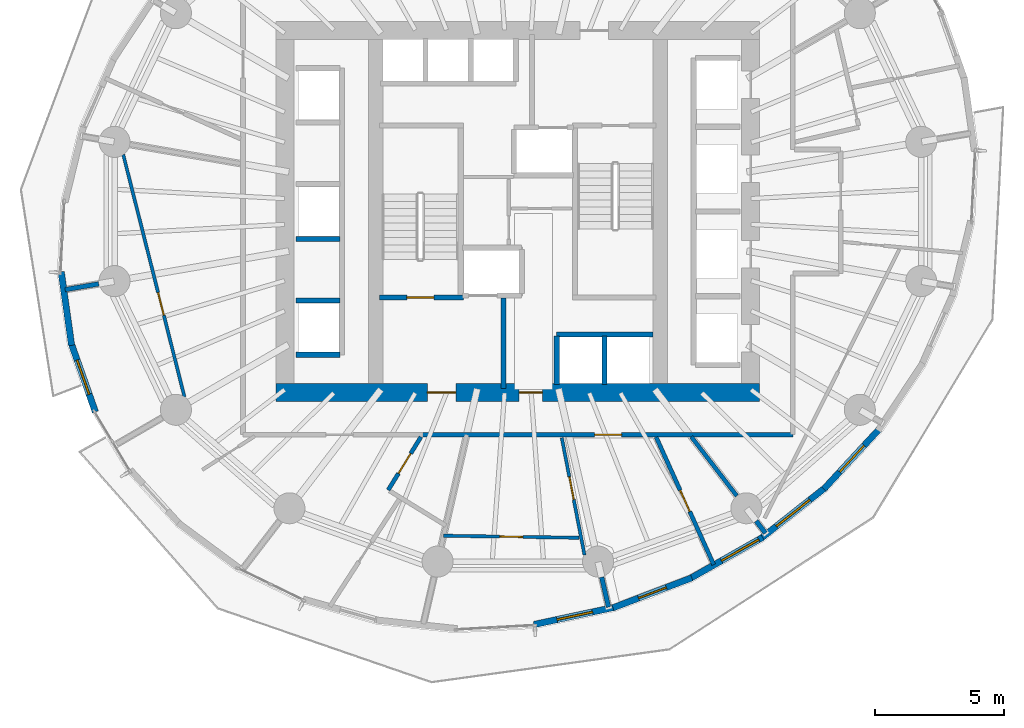
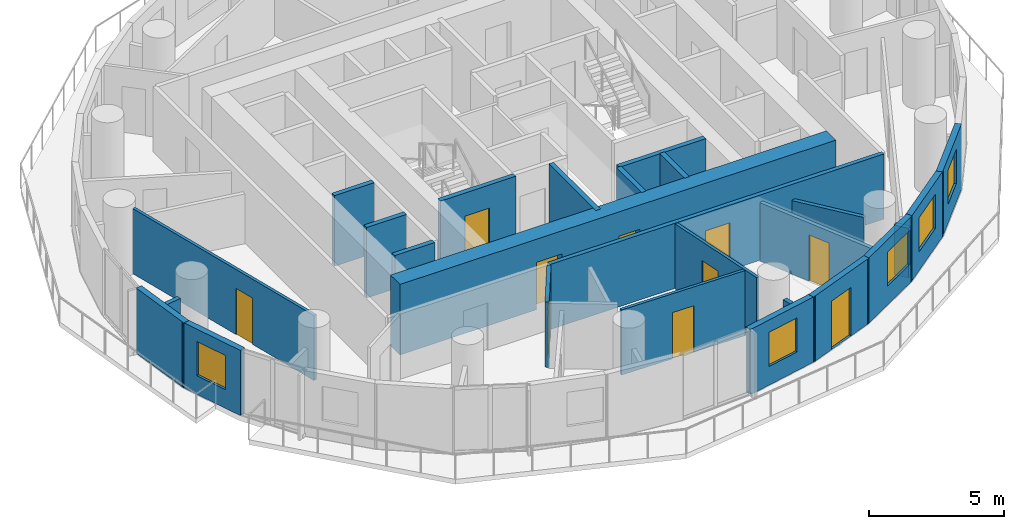
# One storey, part 7 of 15: 26 walls, 10 doors, 5 windows, 15 openings.
"""IFC4 building model written with IfcOpenShell, lengths in metres."""

import ifcopenshell
import ifcopenshell.guid

model = None  # the IFC model being written
_history = None  # IfcOwnerHistory: only IFC2X3 demands one
_inside = {}  # id of a spatial element -> (the spatial element, [elements in it])
_under = {}  # id of a project, library or spatial element -> (it, [spatial elements below it])
_declared = {}  # id of a project -> (the project, [libraries it declares])
_typed = {}  # id of a type object -> (the type object, [elements of that type])
_made_of = {}  # id of a material, layer set ... -> (it, [elements and type objects made of it])


def new_model(schema):
    """Start an empty IFC model of exactly this schema.

    Asked for "IFC4X3", IfcOpenShell would pick the latest addendum, in which some entities
    have other attributes; the version numbers below select the first issue.
    IFC2X3 requires an IfcOwnerHistory on every rooted entity: one is made here for all.
    """
    global model, _history
    if schema == "IFC4X3":
        model = ifcopenshell.file(schema_version=(4, 3, 0, 0))
    else:
        model = ifcopenshell.file(schema=schema)
    _inside.clear()
    _under.clear()
    _declared.clear()
    _typed.clear()
    _made_of.clear()
    _history = None
    if model.schema == "IFC2X3":
        org = make("IfcOrganization", Name="unknown")
        user = make(
            "IfcPersonAndOrganization",
            ThePerson=make("IfcPerson", FamilyName="unknown"),
            TheOrganization=org,
        )
        app = make(
            "IfcApplication",
            ApplicationDeveloper=org,
            Version="unknown",
            ApplicationFullName="unknown",
            ApplicationIdentifier="unknown",
        )
        _history = make(
            "IfcOwnerHistory",
            OwningUser=user,
            OwningApplication=app,
            ChangeAction="ADDED",
            CreationDate=0,
        )
    return model


def make(cls, **values):
    """One entity of the class cls with the attributes given. An attribute that is None is left unset."""
    return model.create_entity(
        cls, **{name: value for name, value in values.items() if value is not None}
    )


def rooted(cls, **values):
    """An entity with a GlobalId (a new one), such as an element, a storey or a relation."""
    return make(cls, GlobalId=ifcopenshell.guid.new(), OwnerHistory=_history, **values)


def si_unit(unit_type, name, prefix=None):
    """IfcSIUnit, for example si_unit("LENGTHUNIT", "METRE", prefix="MILLI")."""
    return make("IfcSIUnit", UnitType=unit_type, Prefix=prefix, Name=name)


def assignment(units):
    """IfcUnitAssignment: the units of a project."""
    return None if units is None else make("IfcUnitAssignment", Units=units)


def point(xyz):
    """IfcCartesianPoint."""
    return None if xyz is None else make("IfcCartesianPoint", Coordinates=xyz)


def direction(xyz):
    """IfcDirection."""
    return None if xyz is None else make("IfcDirection", DirectionRatios=xyz)


def frame(location, z_axis=None, x_axis=None):
    """IfcAxis2Placement3D, a coordinate frame: its origin and axes. An axis left out is left unset."""
    return make(
        "IfcAxis2Placement3D",
        Location=point(location),
        Axis=direction(z_axis),
        RefDirection=direction(x_axis),
    )


def frame_2d(location, x_axis=None):
    """IfcAxis2Placement2D, a coordinate frame in the plane: its origin and x axis."""
    return make(
        "IfcAxis2Placement2D", Location=point(location), RefDirection=direction(x_axis)
    )


def origin():
    """The frame at (0, 0, 0) with its axes left unset."""
    return frame((0.0, 0.0, 0.0))


def place(relative_to, where):
    """IfcLocalPlacement: puts the frame where relative to a parent placement (None: the world)."""
    return make(
        "IfcLocalPlacement", PlacementRelTo=relative_to, RelativePlacement=where
    )


def context(
    kind, dimensions, precision=None, world=None, true_north=None, identifier=None
):
    """IfcGeometricRepresentationContext, for example the 3D "Model" context."""
    return make(
        "IfcGeometricRepresentationContext",
        ContextIdentifier=identifier,
        ContextType=kind,
        CoordinateSpaceDimension=dimensions,
        Precision=precision,
        WorldCoordinateSystem=world,
        TrueNorth=true_north,
    )


def subcontext(parent, identifier, kind, view, scale=None):
    """IfcGeometricRepresentationSubContext, for example "Body" below "Model"."""
    return make(
        "IfcGeometricRepresentationSubContext",
        ContextIdentifier=identifier,
        ContextType=kind,
        ParentContext=parent,
        TargetScale=scale,
        TargetView=view,
    )


def project(units=None, contexts=None):
    """IfcProject with its units and contexts."""
    return rooted(
        "IfcProject",
        Name="project",
        RepresentationContexts=contexts,
        UnitsInContext=assignment(units),
    )


def spatial(cls, under=None, at=None, **own):
    """A site, building, storey or space (cls), placed at a placement, below another one or the project."""
    s = rooted(cls, ObjectPlacement=at, **own)
    if under is not None:
        _under.setdefault(under.id(), (under, []))[1].append(s)
    return s


def profile(cls, at=None, kind="AREA", **sizes):
    """A parametric profile (cls). Its sizes go by their IFC names, for example OverallWidth=200.0."""
    return make(cls, ProfileType=kind, Position=at, **sizes)


def rectangle(**sizes):
    """IfcRectangleProfileDef."""
    return profile("IfcRectangleProfileDef", **sizes)


def extrude(swept, where, along, depth):
    """IfcExtrudedAreaSolid: the profile swept, set in the frame where, extruded along a direction by depth."""
    return make(
        "IfcExtrudedAreaSolid",
        SweptArea=swept,
        Position=where,
        ExtrudedDirection=direction(along),
        Depth=depth,
    )


def shape(context_of_items, identifier, shape_type, items):
    """IfcShapeRepresentation: the items that make up one representation, for example the "Body"."""
    return make(
        "IfcShapeRepresentation",
        ContextOfItems=context_of_items,
        RepresentationIdentifier=identifier,
        RepresentationType=shape_type,
        Items=items,
    )


def material(Name=None, Category=None):
    """IfcMaterial."""
    return make("IfcMaterial", Name=Name, Category=Category)


def layer(
    of_material, thickness, ventilated=None, Name=None, Category=None, Priority=None
):
    """IfcMaterialLayer: one layer of a wall or slab, of a material (None: an air gap)."""
    return make(
        "IfcMaterialLayer",
        Material=of_material,
        LayerThickness=thickness,
        IsVentilated=ventilated,
        Name=Name,
        Category=Category,
        Priority=Priority,
    )


def layer_set(layers, Name=None):
    """IfcMaterialLayerSet."""
    return make("IfcMaterialLayerSet", MaterialLayers=layers, LayerSetName=Name)


def made_of(thing, what):
    """Note that an element or type object is made of a material, layer set ...; save() writes the relation."""
    if what is not None:
        _made_of.setdefault(what.id(), (what, []))[1].append(thing)
    return thing


def type_object(cls, material=None, **own):
    """A type object (cls), such as IfcWallType, which elements share."""
    return made_of(rooted(cls, **own), material)


def element(
    cls,
    number,
    at=None,
    inside=None,
    cuts=None,
    type_object=None,
    material=None,
    context=None,
    identifier="Body",
    shape_type=None,
    held_by="IfcProductDefinitionShape",
    body=None,
    shapes=None,
    **own,
):
    """One element of the class cls, such as IfcWall. Its Tag is "e" and its number.

    at: its placement. inside: the storey or other place that contains it. cuts: it is an
    opening in that element (IfcRelVoidsElement). A single representation is given by context,
    identifier, shape_type and body (its items); several are given by shapes. held_by: the class
    of the entity that holds the representations. save() writes the other relations.
    """
    e = rooted(cls, Tag="e%d" % number, ObjectPlacement=at, **own)
    if body is not None:
        shapes = [shape(context, identifier, shape_type, body)]
    if shapes is not None:
        e.Representation = make(held_by, Representations=shapes)
    if inside is not None:
        _inside.setdefault(inside.id(), (inside, []))[1].append(e)
    if cuts is not None:
        rooted(
            "IfcRelVoidsElement", RelatingBuildingElement=cuts, RelatedOpeningElement=e
        )
    if type_object is not None:
        _typed.setdefault(type_object.id(), (type_object, []))[1].append(e)
    return made_of(e, material)


def fill(opening, filler):
    """IfcRelFillsElement: the door or window that sits in an opening."""
    return rooted(
        "IfcRelFillsElement",
        RelatingOpeningElement=opening,
        RelatedBuildingElement=filler,
    )


def aggregate(whole, parts):
    """IfcRelAggregates: a whole, such as a stair, and the parts it consists of."""
    return rooted("IfcRelAggregates", RelatingObject=whole, RelatedObjects=parts)


def save(model, path):
    """Write the relations noted so far, then the file.

    IfcRelAggregates (storeys below a building ...), IfcRelContainedInSpatialStructure (elements
    in a storey), IfcRelDefinesByType, IfcRelAssociatesMaterial and IfcRelDeclares: one each for
    every whole, place, type object, material and project.
    """
    for whole, parts in _under.values():
        aggregate(whole, parts)
    for where, things in _inside.values():
        rooted(
            "IfcRelContainedInSpatialStructure",
            RelatedElements=things,
            RelatingStructure=where,
        )
    for kind, things in _typed.values():
        rooted("IfcRelDefinesByType", RelatedObjects=things, RelatingType=kind)
    for what, things in _made_of.values():
        rooted("IfcRelAssociatesMaterial", RelatedObjects=things, RelatingMaterial=what)
    for by, libraries in _declared.values():
        rooted("IfcRelDeclares", RelatingContext=by, RelatedDefinitions=libraries)
    model.write(path)


model = new_model("IFC4")

# Units and contexts
model_context = context("Model", 3, precision=1e-05, world=origin(), true_north=direction((0.0, 1.0)))
body_context = subcontext(model_context, "Body", "Model", "MODEL_VIEW")
ifc_project = project(units=[si_unit("LENGTHUNIT", "METRE"), si_unit("AREAUNIT", "SQUARE_METRE"), si_unit("VOLUMEUNIT", "CUBIC_METRE"), si_unit("PLANEANGLEUNIT", "RADIAN"), si_unit("MASSUNIT", "GRAM", prefix="KILO")], contexts=[model_context])

# Site, building, storey
site_placement = place(None, origin())
site = spatial("IfcSite", under=ifc_project, at=site_placement, CompositionType="ELEMENT")
building_placement = place(site_placement, origin())
building = spatial("IfcBuilding", under=site, at=building_placement, Name="Veldorim Arch Residences", CompositionType="ELEMENT")
storey_placement = place(building_placement, frame((0.0, 0.0, 106.080078125)))
storey = spatial("IfcBuildingStorey", under=building, at=storey_placement, Name="L31", CompositionType="ELEMENT", Elevation=106.080078125)

# Wall, opening, door
ifc_material_1 = material(Name="Acoustic Gypsum Board", Category="gypsum")
ifc_layer_1 = layer(ifc_material_1, 0.125, Name="Acoustic Stud Room Partition Wall 125")
ifc_layer_set_1 = layer_set([ifc_layer_1], Name="Acoustic Gypsum Board")
wall_type_1 = type_object("IfcWallType", Name="Acoustic Stud Room Partition Wall 125", PredefinedType="PARTITIONING", material=ifc_layer_set_1)
wall_1_placement = place(storey_placement, frame((34.576904296875, 10.718994140625, 0.0), z_axis=(0.0, 0.0, 1.0), x_axis=(-0.19043944415, 0.981698944744, 0.0)))
wall_1 = element("IfcWall", 1, at=wall_1_placement, inside=storey, type_object=wall_type_1, Name="L31 interior wall WL-RES-L31-012", PredefinedType="PARTITIONING", context=body_context, shape_type="SweptSolid", body=[
    extrude(rectangle(XDim=4.61767578125, YDim=0.125, at=frame_2d((2.308837890625, 0.0))), origin(), (0.0, 0.0, 1.0), 2.954833984375),
])
opening_1_placement = place(wall_1_placement, frame((2.18701171875, 0.0, 0.0)))
opening_1 = element("IfcOpeningElement", 2, at=opening_1_placement, cuts=wall_1, Name="Opening DR-INT", PredefinedType="OPENING", context=body_context, shape_type="SweptSolid", body=[
    extrude(rectangle(XDim=0.89990234375, YDim=2.10009765625, at=frame_2d((0.449951171875, 1.050048828125))), frame((0.0, 0.072509765625, 0.0), z_axis=(0.0, -1.0, 0.0), x_axis=(1.0, 0.0, 0.0)), (0.0, 0.0, 1.0), 0.14501953125),
])
ifc_material_2 = material(Name="Engineered Timber", Category="wood")
door_type_1 = type_object("IfcDoorType", Name="Apartment Internal Room Timber Door 900x2100", OperationType="SINGLE_SWING_LEFT", PredefinedType="DOOR", material=ifc_material_2)
door_1_placement = place(opening_1_placement, origin())
door_1 = element("IfcDoor", 3, at=door_1_placement, inside=storey, type_object=door_type_1, Name="L31 interior door DR-RES-L31-003", OperationType="SINGLE_SWING_LEFT", OverallHeight=2.10009765625, OverallWidth=0.89990234375, PredefinedType="DOOR", context=body_context, shape_type="SweptSolid", body=[
    extrude(rectangle(XDim=0.89990234375, YDim=2.10009765625, at=frame_2d((0.449951171875, 1.050048828125))), frame((0.0, 0.02490234375, 0.0), z_axis=(0.0, -1.0, 0.0), x_axis=(1.0, 0.0, 0.0)), (0.0, 0.0, 1.0), 0.050048828125),
])
fill(opening_1, door_1)

wall_2_placement = place(storey_placement, frame((34.3681640625, 11.38427734375, 0.0), z_axis=(0.0, 0.0, 1.0), x_axis=(-0.999882579861, 0.015324049414, 0.0)))
wall_2 = element("IfcWall", 4, at=wall_2_placement, inside=storey, type_object=wall_type_1, Name="L31 interior wall WL-RES-L31-014", PredefinedType="PARTITIONING", context=body_context, shape_type="SweptSolid", body=[
    extrude(rectangle(XDim=5.24169921875, YDim=0.125, at=frame_2d((2.620849609375, 0.0))), origin(), (0.0, 0.0, 1.0), 2.954833984375),
])
opening_2_placement = place(wall_2_placement, frame((2.1708984375, 0.0, 0.0)))
opening_2 = element("IfcOpeningElement", 5, at=opening_2_placement, cuts=wall_2, Name="Opening DR-INT", PredefinedType="OPENING", context=body_context, shape_type="SweptSolid", body=[
    extrude(rectangle(XDim=0.89990234375, YDim=2.10009765625, at=frame_2d((0.449951171875, 1.050048828125))), frame((0.0, 0.072509765625, 0.0), z_axis=(0.0, -1.0, 0.0), x_axis=(1.0, 0.0, 0.0)), (0.0, 0.0, 1.0), 0.14501953125),
])
door_2_placement = place(opening_2_placement, origin())
door_2 = element("IfcDoor", 6, at=door_2_placement, inside=storey, type_object=door_type_1, Name="L31 interior door DR-RES-L31-004", OperationType="SINGLE_SWING_RIGHT", OverallHeight=2.10009765625, OverallWidth=0.89990234375, PredefinedType="DOOR", context=body_context, shape_type="SweptSolid", body=[
    extrude(rectangle(XDim=0.89990234375, YDim=2.10009765625, at=frame_2d((0.449951171875, 1.050048828125))), frame((0.0, 0.02490234375, 0.0), z_axis=(0.0, -1.0, 0.0), x_axis=(1.0, 0.0, 0.0)), (0.0, 0.0, 1.0), 0.050048828125),
])
fill(opening_2, door_2)

wall_3_placement = place(storey_placement, frame((19.111328125, 16.82568359375, 0.0), z_axis=(0.0, 0.0, 1.0), x_axis=(-0.244982180272, 0.969527581531, 0.0)))
wall_3 = element("IfcWall", 7, at=wall_3_placement, inside=storey, type_object=wall_type_1, Name="L31 interior wall WL-RES-L31-036", PredefinedType="PARTITIONING", context=body_context, shape_type="SweptSolid", body=[
    extrude(rectangle(XDim=9.670654296875, YDim=0.125, at=frame_2d((4.83544921875, 0.0))), origin(), (0.0, 0.0, 1.0), 2.954833984375),
])
opening_3_placement = place(wall_3_placement, frame((3.265380859375, 0.0, 0.0)))
opening_3 = element("IfcOpeningElement", 8, at=opening_3_placement, cuts=wall_3, Name="Opening DR-INT", PredefinedType="OPENING", context=body_context, shape_type="SweptSolid", body=[
    extrude(rectangle(XDim=0.89990234375, YDim=2.10009765625, at=frame_2d((0.449951171875, 1.050048828125))), frame((0.0, 0.072509765625, 0.0), z_axis=(0.0, -1.0, 0.0), x_axis=(1.0, 0.0, 0.0)), (0.0, 0.0, 1.0), 0.14501953125),
])
door_3_placement = place(opening_3_placement, origin())
door_3 = element("IfcDoor", 9, at=door_3_placement, inside=storey, type_object=door_type_1, Name="L31 interior door DR-RES-L31-022", OperationType="SINGLE_SWING_RIGHT", OverallHeight=2.10009765625, OverallWidth=0.89990234375, PredefinedType="DOOR", context=body_context, shape_type="SweptSolid", body=[
    extrude(rectangle(XDim=0.89990234375, YDim=2.10009765625, at=frame_2d((0.449951171875, 1.050048828125))), frame((0.0, 0.02490234375, 0.0), z_axis=(0.0, -1.0, 0.0), x_axis=(1.0, 0.0, 0.0)), (0.0, 0.0, 1.0), 0.050048828125),
])
fill(opening_3, door_3)

# Walls
ifc_material_3 = material(Name="Lightweight Masonry Block & Gypsum", Category="masonry")
ifc_layer_2 = layer(ifc_material_3, 0.179931640625, Name="Compartment & Corridor Fire-Rated Party Wall 180")
ifc_layer_set_2 = layer_set([ifc_layer_2], Name="Lightweight Masonry Block & Gypsum")
wall_type_2 = type_object("IfcWallType", Name="Compartment & Corridor Fire-Rated Party Wall 180", PredefinedType="PARTITIONING", material=ifc_layer_set_2)
wall_4_placement = place(storey_placement, frame((15.79443359375, 21.202392578125, 0.0), z_axis=(0.0, 0.0, 1.0), x_axis=(-0.98541625201, -0.170161130326, 0.0)))
element("IfcWall", 10, at=wall_4_placement, inside=storey, type_object=wall_type_2, Name="L31 interior wall WL-PIER-L31-09", PredefinedType="PARTITIONING", context=body_context, shape_type="SweptSolid", body=[
    extrude(rectangle(XDim=1.318603515625, YDim=0.179931640625, at=frame_2d((0.6591796875, 0.0))), origin(), (0.0, 0.0, 1.0), 2.260498046875),
])
wall_5_placement = place(storey_placement, frame((35.240478515625, 9.86083984375, 0.0), z_axis=(0.0, 0.0, 1.0), x_axis=(0.223327310752, -0.974743511018, 0.0)))
element("IfcWall", 11, at=wall_5_placement, inside=storey, type_object=wall_type_2, Name="L31 interior wall WL-PIER-L31-13", PredefinedType="PARTITIONING", context=body_context, shape_type="SweptSolid", body=[
    extrude(rectangle(XDim=1.187255859375, YDim=0.179931640625, at=frame_2d((0.59375, 0.0))), origin(), (0.0, 0.0, 1.0), 2.260498046875),
])
wall_6_placement = place(storey_placement, frame((41.2119140625, 12.034423828125, 0.0), z_axis=(0.0, 0.0, 1.0), x_axis=(0.609790512648, -0.792562635181, 0.0)))
element("IfcWall", 12, at=wall_6_placement, inside=storey, type_object=wall_type_2, Name="L31 interior wall WL-PIER-L31-14", PredefinedType="PARTITIONING", context=body_context, shape_type="SweptSolid", body=[
    extrude(rectangle(XDim=0.591796875, YDim=0.179931640625, at=frame_2d((0.2958984375, 0.0))), origin(), (0.0, 0.0, 1.0), 2.260498046875),
])

# Wall, opening, door
wall_7_placement = place(storey_placement, frame((42.6298828125, 15.3701171875, 0.0), z_axis=(0.0, 0.0, 1.0), x_axis=(-1.0, 0.0, 0.0)))
wall_7 = element("IfcWall", 13, at=wall_7_placement, inside=storey, type_object=wall_type_2, Name="L31 interior wall WL-RES-L31-001", PredefinedType="PARTITIONING", context=body_context, shape_type="SweptSolid", body=[
    extrude(rectangle(XDim=14.345703125, YDim=0.179931640625, at=frame_2d((7.1728515625, 0.0))), origin(), (0.0, 0.0, 1.0), 2.954833984375),
])
opening_4_placement = place(wall_7_placement, frame((6.614990234375, 0.0, 0.0)))
opening_4 = element("IfcOpeningElement", 14, at=opening_4_placement, cuts=wall_7, Name="Opening DR-FLT", PredefinedType="OPENING", context=body_context, shape_type="SweptSolid", body=[
    extrude(rectangle(XDim=1.050048828125, YDim=2.14990234375, at=frame_2d((0.52490234375, 1.074951171875))), frame((0.0, 0.099853515625, 0.0), z_axis=(0.0, -1.0, 0.0), x_axis=(1.0, 0.0, 0.0)), (0.0, 0.0, 1.0), 0.199951171875),
])
ifc_material_4 = material(Name="Fire-Rated Timber", Category="wood")
door_type_2 = type_object("IfcDoorType", Name="Apartment Entrance Solid-Core Fire Door 1050x2150", OperationType="SINGLE_SWING_LEFT", PredefinedType="DOOR", material=ifc_material_4)
door_4_placement = place(opening_4_placement, origin())
door_4 = element("IfcDoor", 15, at=door_4_placement, inside=storey, type_object=door_type_2, Name="L31 interior door DR-RES-L31-001", OperationType="SINGLE_SWING_LEFT", OverallHeight=2.14990234375, OverallWidth=1.050048828125, PredefinedType="DOOR", context=body_context, shape_type="SweptSolid", body=[
    extrude(rectangle(XDim=1.050048828125, YDim=2.14990234375, at=frame_2d((0.52490234375, 1.074951171875))), frame((0.0, 0.02490234375, 0.0), z_axis=(0.0, -1.0, 0.0), x_axis=(1.0, 0.0, 0.0)), (0.0, 0.0, 1.0), 0.050048828125),
])
fill(opening_4, door_4)

ifc_material_5 = material(Name="Concrete C50/60", Category="concrete")
ifc_layer_3 = layer(ifc_material_5, 0.199951171875, Name="Core Stair & Lift Shaft Enclosure Wall 200")
ifc_layer_set_3 = layer_set([ifc_layer_3], Name="Concrete C50/60")
wall_type_3 = type_object("IfcWallType", Name="Core Stair & Lift Shaft Enclosure Wall 200", PredefinedType="SHEAR", material=ifc_layer_set_3)
wall_8_placement = place(storey_placement, frame((26.64990234375, 20.669921875, 0.0), z_axis=(0.0, 0.0, 1.0), x_axis=(1.0, 0.0, 0.0)))
wall_8 = element("IfcWall", 16, at=wall_8_placement, inside=storey, type_object=wall_type_3, Name="L31 shaft wall WL-SHF-L31-ST1-S", PredefinedType="SHEAR", context=body_context, shape_type="SweptSolid", body=[
    extrude(rectangle(XDim=3.239990234375, YDim=0.199951171875, at=frame_2d((1.6201171875, 0.0))), origin(), (0.0, 0.0, 1.0), 3.199951171875),
])
opening_5_placement = place(wall_8_placement, frame((1.054931640625, 0.0, 0.0)))
opening_5 = element("IfcOpeningElement", 17, at=opening_5_placement, cuts=wall_8, Name="Opening DR-ST", PredefinedType="OPENING", context=body_context, shape_type="SweptSolid", body=[
    extrude(rectangle(XDim=1.050048828125, YDim=2.14990234375, at=frame_2d((0.52490234375, 1.074951171875))), frame((0.0, 0.10986328125, 0.0), z_axis=(0.0, -1.0, 0.0), x_axis=(1.0, 0.0, 0.0)), (0.0, 0.0, 1.0), 0.219970703125),
])
ifc_material_6 = material(Name="Fire-Rated Steel", Category="steel")
door_type_3 = type_object("IfcDoorType", Name="Exit Staircase Self-Closing Fire Door 1050x2150", OperationType="SINGLE_SWING_LEFT", PredefinedType="DOOR", material=ifc_material_6)
door_5_placement = place(opening_5_placement, origin())
door_5 = element("IfcDoor", 18, at=door_5_placement, inside=storey, type_object=door_type_3, Name="L31 interior door DR-L31-ST1", OperationType="SINGLE_SWING_LEFT", OverallHeight=2.14990234375, OverallWidth=1.050048828125, PredefinedType="DOOR", context=body_context, shape_type="SweptSolid", body=[
    extrude(rectangle(XDim=1.050048828125, YDim=2.14990234375, at=frame_2d((0.52490234375, 1.074951171875))), frame((0.0, 0.02490234375, 0.0), z_axis=(0.0, -1.0, 0.0), x_axis=(1.0, 0.0, 0.0)), (0.0, 0.0, 1.0), 0.050048828125),
])
fill(opening_5, door_5)

# Walls
wall_9_placement = place(storey_placement, frame((31.449951171875, 17.14990234375, 0.0), z_axis=(0.0, 0.0, 1.0), x_axis=(0.0, 1.0, 0.0)))
element("IfcWall", 19, at=wall_9_placement, inside=storey, type_object=wall_type_3, Name="L31 shaft wall WL-FFL1-L31-E", PredefinedType="SHEAR", context=body_context, shape_type="SweptSolid", body=[
    extrude(rectangle(XDim=3.5, YDim=0.199951171875, at=frame_2d((1.75, 0.0))), origin(), (0.0, 0.0, 1.0), 3.199951171875),
])
for number, where, z_axis, x_axis, name in (
    (20, (23.419921875, 18.4599609375, 0.0), (0.0, 0.0, 1.0), (1.0, 0.0, 0.0), "L31 shaft wall WL-B2-L31-S"),
    (21, (23.419921875, 20.56005859375, 0.0), (0.0, 0.0, 1.0), (1.0, 0.0, 0.0), "L31 shaft wall WL-B2-L31-D1A"),
    (22, (23.419921875, 22.93994140625, 0.0), (0.0, 0.0, 1.0), (1.0, 0.0, 0.0), "L31 shaft wall WL-B2-L31-D1B"),
):
    element("IfcWall", number, at=place(storey_placement, frame(where, z_axis=z_axis, x_axis=x_axis)), inside=storey, type_object=wall_type_3, Name=name, PredefinedType="SHEAR", context=body_context, shape_type="SweptSolid", body=[
        extrude(rectangle(XDim=1.7099609375, YDim=0.199951171875, at=frame_2d((0.85498046875, 0.0))), origin(), (0.0, 0.0, 1.0), 3.199951171875),
    ])
wall_10_placement = place(storey_placement, frame((33.5, 19.25, 0.0), z_axis=(0.0, 0.0, 1.0), x_axis=(1.0, 0.0, 0.0)))
element("IfcWall", 23, at=wall_10_placement, inside=storey, type_object=wall_type_3, Name="L31 shaft wall WL-OL-L31-N", PredefinedType="SHEAR", context=body_context, shape_type="SweptSolid", body=[
    extrude(rectangle(XDim=3.719970703125, YDim=0.199951171875, at=frame_2d((1.85986328125, 0.0))), origin(), (0.0, 0.0, 1.0), 3.199951171875),
])
for number, where, z_axis, x_axis, name in (
    (24, (33.5, 17.320068359375, 0.0), (0.0, 0.0, 1.0), (0.0, 1.0, 0.0), "L31 shaft wall WL-OL-L31-W"),
    (25, (35.35009765625, 17.320068359375, 0.0), (0.0, 0.0, 1.0), (0.0, 1.0, 0.0), "L31 shaft wall WL-OL-L31-D1"),
):
    element("IfcWall", number, at=place(storey_placement, frame(where, z_axis=z_axis, x_axis=x_axis)), inside=storey, type_object=wall_type_3, Name=name, PredefinedType="SHEAR", context=body_context, shape_type="SweptSolid", body=[
        extrude(rectangle(XDim=1.85986328125, YDim=0.199951171875, at=frame_2d((0.929931640625, 0.0))), origin(), (0.0, 0.0, 1.0), 3.199951171875),
    ])

# Wall, openings, doors
ifc_material_7 = material(Name="Concrete C60/75", Category="concrete")
ifc_layer_4 = layer(ifc_material_7, 0.699951171875, Name="Mid-Lower Central Core Shear Wall 700")
ifc_layer_set_4 = layer_set([ifc_layer_4], Name="Concrete C60/75")
wall_type_4 = type_object("IfcWallType", Name="Mid-Lower Central Core Shear Wall 700", PredefinedType="SHEAR", material=ifc_layer_set_4)
wall_11_placement = place(storey_placement, frame((22.64990234375, 17.0, 0.0), z_axis=(0.0, 0.0, 1.0), x_axis=(1.0, 0.0, 0.0)))
wall_11 = element("IfcWall", 26, at=wall_11_placement, inside=storey, type_object=wall_type_4, Name="L31 central core south shear wall", PredefinedType="SHEAR", context=body_context, shape_type="SweptSolid", body=[
    extrude(rectangle(XDim=18.7001953125, YDim=0.699951171875, at=frame_2d((9.35009765625, 0.0))), origin(), (0.0, 0.0, 1.0), 3.199951171875),
])
opening_6_placement = place(wall_11_placement, frame((5.85009765625, 0.0, 0.0)))
opening_6 = element("IfcOpeningElement", 27, at=opening_6_placement, cuts=wall_11, Name="Opening DR-FFL", PredefinedType="OPENING", context=body_context, shape_type="SweptSolid", body=[
    extrude(rectangle(XDim=1.10009765625, YDim=2.14990234375, at=frame_2d((0.550048828125, 1.074951171875))), frame((0.0, 0.35986328125, 0.0), z_axis=(0.0, -1.0, 0.0), x_axis=(1.0, 0.0, 0.0)), (0.0, 0.0, 1.0), 0.719970703125),
])
opening_7_placement = place(wall_11_placement, frame((9.39990234375, 0.0, 0.0)))
opening_7 = element("IfcOpeningElement", 28, at=opening_7_placement, cuts=wall_11, Name="Opening DR-SVC", PredefinedType="OPENING", context=body_context, shape_type="SweptSolid", body=[
    extrude(rectangle(XDim=0.89990234375, YDim=2.10009765625, at=frame_2d((0.449951171875, 1.050048828125))), frame((0.0, 0.35986328125, 0.0), z_axis=(0.0, -1.0, 0.0), x_axis=(1.0, 0.0, 0.0)), (0.0, 0.0, 1.0), 0.719970703125),
])
ifc_material_8 = material(Name="Fire-Rated Steel & Vision Glass", Category="steel")
door_type_4 = type_object("IfcDoorType", Name="Firefighting Lobby Smoke-Stop Fire Door 1100x2150", OperationType="SINGLE_SWING_LEFT", PredefinedType="DOOR", material=ifc_material_8)
door_6_placement = place(opening_6_placement, origin())
door_6 = element("IfcDoor", 29, at=door_6_placement, inside=storey, type_object=door_type_4, Name="L31 interior door DR-L31-FFL1", OperationType="SINGLE_SWING_RIGHT", OverallHeight=2.14990234375, OverallWidth=1.10009765625, PredefinedType="DOOR", context=body_context, shape_type="SweptSolid", body=[
    extrude(rectangle(XDim=1.10009765625, YDim=2.14990234375, at=frame_2d((0.550048828125, 1.074951171875))), frame((0.0, 0.02490234375, 0.0), z_axis=(0.0, -1.0, 0.0), x_axis=(1.0, 0.0, 0.0)), (0.0, 0.0, 1.0), 0.050048828125),
])
fill(opening_6, door_6)
ifc_material_9 = material(Name="Fire-Rated Steel", Category="steel")
door_type_5 = type_object("IfcDoorType", Name="Riser, Shelter & Plant Room Rated Steel Door 900x2100", OperationType="SINGLE_SWING_LEFT", PredefinedType="DOOR", material=ifc_material_9)
door_7_placement = place(opening_7_placement, origin())
door_7 = element("IfcDoor", 30, at=door_7_placement, inside=storey, type_object=door_type_5, Name="L31 interior door DR-L31-COR-ANC", OperationType="SINGLE_SWING_LEFT", OverallHeight=2.10009765625, OverallWidth=0.89990234375, PredefinedType="DOOR", context=body_context, shape_type="SweptSolid", body=[
    extrude(rectangle(XDim=0.89990234375, YDim=2.10009765625, at=frame_2d((0.449951171875, 1.050048828125))), frame((0.0, 0.02490234375, 0.0), z_axis=(0.0, -1.0, 0.0), x_axis=(1.0, 0.0, 0.0)), (0.0, 0.0, 1.0), 0.050048828125),
])
fill(opening_7, door_7)

# Wall
ifc_material_10 = material(Name="Precast concrete C40/50", Category="concrete")
ifc_layer_5 = layer(ifc_material_10, 0.25, Name="Tower Terracotta Spandrel & Pier Wall 250")
ifc_layer_set_5 = layer_set([ifc_layer_5], Name="Precast concrete C40/50")
wall_type_5 = type_object("IfcWallType", Name="Tower Terracotta Spandrel & Pier Wall 250", PredefinedType="SOLIDWALL", material=ifc_layer_set_5)
wall_12_placement = place(storey_placement, frame((14.744140625, 18.823974609375, 0.0), z_axis=(0.0, 0.0, 1.0), x_axis=(-0.139982311006, 0.990154004489, 0.0)))
element("IfcWall", 31, at=wall_12_placement, inside=storey, type_object=wall_type_5, Name="L31 terracotta facade wall 17", PredefinedType="SOLIDWALL", context=body_context, shape_type="SweptSolid", body=[
    extrude(rectangle(XDim=2.874267578125, YDim=0.25, at=frame_2d((1.43701171875, 0.0))), origin(), (0.0, 0.0, 1.0), 2.9599609375),
])

# Wall, opening, window
wall_13_placement = place(storey_placement, frame((15.6650390625, 16.25, 0.0), z_axis=(0.0, 0.0, 1.0), x_axis=(-0.332923265962, 0.942953921982, 0.0)))
wall_13 = element("IfcWall", 32, at=wall_13_placement, inside=storey, type_object=wall_type_5, Name="L31 terracotta facade wall 18", PredefinedType="SOLIDWALL", context=body_context, shape_type="SweptSolid", body=[
    extrude(rectangle(XDim=2.847412109375, YDim=0.25, at=frame_2d((1.423828125, 0.0))), origin(), (0.0, 0.0, 1.0), 2.9599609375),
])
opening_8_placement = place(wall_13_placement, frame((0.72412109375, 0.0, 0.85009765625)))
opening_8 = element("IfcOpeningElement", 33, at=opening_8_placement, cuts=wall_13, Name="Opening WN-02", PredefinedType="OPENING", context=body_context, shape_type="SweptSolid", body=[
    extrude(rectangle(XDim=1.39990234375, YDim=1.550048828125, at=frame_2d((0.699951171875, 0.77490234375))), frame((0.0, 0.135009765625, 0.0), z_axis=(0.0, -1.0, 0.0), x_axis=(1.0, 0.0, 0.0)), (0.0, 0.0, 1.0), 0.27001953125),
])
ifc_material_11 = material(Name="Laminated Low-E Glass", Category="glass")
window_type_1 = type_object("IfcWindowType", Name="Residential Casement Window 1400x1550", PartitioningType="SINGLE_PANEL", PredefinedType="WINDOW", material=ifc_material_11)
window_1_placement = place(opening_8_placement, origin())
window_1 = element("IfcWindow", 34, at=window_1_placement, inside=storey, type_object=window_type_1, Name="L31 solar-control facade window 18", OverallHeight=1.550048828125, OverallWidth=1.39990234375, PartitioningType="SINGLE_PANEL", PredefinedType="WINDOW", context=body_context, shape_type="SweptSolid", body=[
    extrude(rectangle(XDim=1.39990234375, YDim=1.550048828125, at=frame_2d((0.699951171875, 0.77490234375))), frame((0.0, 0.030029296875, 0.0), z_axis=(0.0, -1.0, 0.0), x_axis=(1.0, 0.0, 0.0)), (0.0, 0.0, 1.0), 0.06005859375),
])
fill(opening_8, window_1)

wall_14_placement = place(storey_placement, frame((35.783203125, 8.70703125, 0.0), z_axis=(0.0, 0.0, 1.0), x_axis=(-0.977758229837, -0.209735175845, 0.0)))
wall_14 = element("IfcWall", 35, at=wall_14_placement, inside=storey, type_object=wall_type_5, Name="L31 terracotta facade wall 26", PredefinedType="SOLIDWALL", context=body_context, shape_type="SweptSolid", body=[
    extrude(rectangle(XDim=3.236083984375, YDim=0.25, at=frame_2d((1.6181640625, 0.0))), origin(), (0.0, 0.0, 1.0), 2.9599609375),
])
opening_9_placement = place(wall_14_placement, frame((0.91796875, 0.0, 0.85009765625)))
opening_9 = element("IfcOpeningElement", 36, at=opening_9_placement, cuts=wall_14, Name="Opening WN-02", PredefinedType="OPENING", context=body_context, shape_type="SweptSolid", body=[
    extrude(rectangle(XDim=1.39990234375, YDim=1.550048828125, at=frame_2d((0.699951171875, 0.77490234375))), frame((0.0, 0.135009765625, 0.0), z_axis=(0.0, -1.0, 0.0), x_axis=(1.0, 0.0, 0.0)), (0.0, 0.0, 1.0), 0.27001953125),
])
window_2_placement = place(opening_9_placement, origin())
window_2 = element("IfcWindow", 37, at=window_2_placement, inside=storey, type_object=window_type_1, Name="L31 solar-control facade window 26", OverallHeight=1.550048828125, OverallWidth=1.39990234375, PartitioningType="SINGLE_PANEL", PredefinedType="WINDOW", context=body_context, shape_type="SweptSolid", body=[
    extrude(rectangle(XDim=1.39990234375, YDim=1.550048828125, at=frame_2d((0.699951171875, 0.77490234375))), frame((0.0, 0.030029296875, 0.0), z_axis=(0.0, -1.0, 0.0), x_axis=(1.0, 0.0, 0.0)), (0.0, 0.0, 1.0), 0.06005859375),
])
fill(opening_9, window_2)

# Wall, opening, door
wall_15_placement = place(storey_placement, frame((38.724853515625, 9.83642578125, 0.0), z_axis=(0.0, 0.0, 1.0), x_axis=(-0.934481801939, -0.3560109013, 0.0)))
wall_15 = element("IfcWall", 38, at=wall_15_placement, inside=storey, type_object=wall_type_5, Name="L31 terracotta facade wall 27", PredefinedType="SOLIDWALL", context=body_context, shape_type="SweptSolid", body=[
    extrude(rectangle(XDim=3.259521484375, YDim=0.25, at=frame_2d((1.6298828125, 0.0))), origin(), (0.0, 0.0, 1.0), 2.9599609375),
])
opening_10_placement = place(wall_15_placement, frame((1.054931640625, 0.0, 0.0)))
opening_10 = element("IfcOpeningElement", 39, at=opening_10_placement, cuts=wall_15, Name="Opening BL-DR", PredefinedType="OPENING", context=body_context, shape_type="SweptSolid", body=[
    extrude(rectangle(XDim=1.14990234375, YDim=2.199951171875, at=frame_2d((0.574951171875, 1.10009765625))), frame((0.0, 0.135009765625, 0.0), z_axis=(0.0, -1.0, 0.0), x_axis=(1.0, 0.0, 0.0)), (0.0, 0.0, 1.0), 0.27001953125),
])
ifc_material_12 = material(Name="Aluminium & Low-E Glass", Category="aluminium")
door_type_6 = type_object("IfcDoorType", Name="Glazed Planted Balcony Door 1150x2200", OperationType="SINGLE_SWING_LEFT", PredefinedType="DOOR", material=ifc_material_12)
door_8_placement = place(opening_10_placement, origin())
door_8 = element("IfcDoor", 40, at=door_8_placement, inside=storey, type_object=door_type_6, Name="L31 glazed outdoor terrace door BALC-2", OperationType="SINGLE_SWING_LEFT", OverallHeight=2.199951171875, OverallWidth=1.14990234375, PredefinedType="DOOR", context=body_context, shape_type="SweptSolid", body=[
    extrude(rectangle(XDim=1.14990234375, YDim=2.199951171875, at=frame_2d((0.574951171875, 1.10009765625))), frame((0.0, 0.02490234375, 0.0), z_axis=(0.0, -1.0, 0.0), x_axis=(1.0, 0.0, 0.0)), (0.0, 0.0, 1.0), 0.050048828125),
])
fill(opening_10, door_8)

# Wall, opening, window
wall_16_placement = place(storey_placement, frame((41.462158203125, 11.3974609375, 0.0), z_axis=(0.0, 0.0, 1.0), x_axis=(-0.869984700924, -0.493078715986, 0.0)))
wall_16 = element("IfcWall", 41, at=wall_16_placement, inside=storey, type_object=wall_type_5, Name="L31 terracotta facade wall 28", PredefinedType="SOLIDWALL", context=body_context, shape_type="SweptSolid", body=[
    extrude(rectangle(XDim=3.259521484375, YDim=0.25, at=frame_2d((1.6298828125, 0.0))), origin(), (0.0, 0.0, 1.0), 2.9599609375),
])
opening_11_placement = place(wall_16_placement, frame((0.175048828125, 0.0, 0.85009765625)))
opening_11 = element("IfcOpeningElement", 42, at=opening_11_placement, cuts=wall_16, Name="Opening WN-03", PredefinedType="OPENING", context=body_context, shape_type="SweptSolid", body=[
    extrude(rectangle(XDim=1.64990234375, YDim=1.550048828125, at=frame_2d((0.824951171875, 0.77490234375))), frame((0.0, 0.135009765625, 0.0), z_axis=(0.0, -1.0, 0.0), x_axis=(1.0, 0.0, 0.0)), (0.0, 0.0, 1.0), 0.27001953125),
])
ifc_material_13 = material(Name="Laminated Low-E Glass", Category="glass")
window_type_2 = type_object("IfcWindowType", Name="Residential Wide Window 1650x1550", PartitioningType="SINGLE_PANEL", PredefinedType="WINDOW", material=ifc_material_13)
window_3_placement = place(opening_11_placement, origin())
window_3 = element("IfcWindow", 43, at=window_3_placement, inside=storey, type_object=window_type_2, Name="L31 solar-control facade window 28", OverallHeight=1.550048828125, OverallWidth=1.64990234375, PartitioningType="SINGLE_PANEL", PredefinedType="WINDOW", context=body_context, shape_type="SweptSolid", body=[
    extrude(rectangle(XDim=1.64990234375, YDim=1.550048828125, at=frame_2d((0.824951171875, 0.77490234375))), frame((0.0, 0.030029296875, 0.0), z_axis=(0.0, -1.0, 0.0), x_axis=(1.0, 0.0, 0.0)), (0.0, 0.0, 1.0), 0.06005859375),
])
fill(opening_11, window_3)

wall_17_placement = place(storey_placement, frame((43.911865234375, 13.34228515625, 0.0), z_axis=(0.0, 0.0, 1.0), x_axis=(-0.784871179145, -0.619658964389, 0.0)))
wall_17 = element("IfcWall", 44, at=wall_17_placement, inside=storey, type_object=wall_type_5, Name="L31 terracotta facade wall 29", PredefinedType="SOLIDWALL", context=body_context, shape_type="SweptSolid", body=[
    extrude(rectangle(XDim=3.236328125, YDim=0.25, at=frame_2d((1.6181640625, 0.0))), origin(), (0.0, 0.0, 1.0), 2.9599609375),
])
opening_12_placement = place(wall_17_placement, frame((0.79296875, 0.0, 0.85009765625)))
opening_12 = element("IfcOpeningElement", 45, at=opening_12_placement, cuts=wall_17, Name="Opening WN-03", PredefinedType="OPENING", context=body_context, shape_type="SweptSolid", body=[
    extrude(rectangle(XDim=1.64990234375, YDim=1.550048828125, at=frame_2d((0.824951171875, 0.77490234375))), frame((0.0, 0.135009765625, 0.0), z_axis=(0.0, -1.0, 0.0), x_axis=(1.0, 0.0, 0.0)), (0.0, 0.0, 1.0), 0.27001953125),
])
window_4_placement = place(opening_12_placement, origin())
window_4 = element("IfcWindow", 46, at=window_4_placement, inside=storey, type_object=window_type_2, Name="L31 solar-control facade window 29", OverallHeight=1.550048828125, OverallWidth=1.64990234375, PartitioningType="SINGLE_PANEL", PredefinedType="WINDOW", context=body_context, shape_type="SweptSolid", body=[
    extrude(rectangle(XDim=1.64990234375, YDim=1.550048828125, at=frame_2d((0.824951171875, 0.77490234375))), frame((0.0, 0.030029296875, 0.0), z_axis=(0.0, -1.0, 0.0), x_axis=(1.0, 0.0, 0.0)), (0.0, 0.0, 1.0), 0.06005859375),
])
fill(opening_12, window_4)

wall_18_placement = place(storey_placement, frame((45.998779296875, 15.611572265625, 0.0), z_axis=(0.0, 0.0, 1.0), x_axis=(-0.678956449941, -0.734178547142, 0.0)))
wall_18 = element("IfcWall", 47, at=wall_18_placement, inside=storey, type_object=wall_type_5, Name="L31 terracotta facade wall 30", PredefinedType="SOLIDWALL", context=body_context, shape_type="SweptSolid", body=[
    extrude(rectangle(XDim=3.19189453125, YDim=0.25, at=frame_2d((1.595947265625, 0.0))), origin(), (0.0, 0.0, 1.0), 2.9599609375),
])
opening_13_placement = place(wall_18_placement, frame((0.89599609375, 0.0, 0.85009765625)))
opening_13 = element("IfcOpeningElement", 48, at=opening_13_placement, cuts=wall_18, Name="Opening WN-02", PredefinedType="OPENING", context=body_context, shape_type="SweptSolid", body=[
    extrude(rectangle(XDim=1.39990234375, YDim=1.550048828125, at=frame_2d((0.699951171875, 0.77490234375))), frame((0.0, 0.135009765625, 0.0), z_axis=(0.0, -1.0, 0.0), x_axis=(1.0, 0.0, 0.0)), (0.0, 0.0, 1.0), 0.27001953125),
])
window_5_placement = place(opening_13_placement, origin())
window_5 = element("IfcWindow", 49, at=window_5_placement, inside=storey, type_object=window_type_1, Name="L31 solar-control facade window 30", OverallHeight=1.550048828125, OverallWidth=1.39990234375, PartitioningType="SINGLE_PANEL", PredefinedType="WINDOW", context=body_context, shape_type="SweptSolid", body=[
    extrude(rectangle(XDim=1.39990234375, YDim=1.550048828125, at=frame_2d((0.699951171875, 0.77490234375))), frame((0.0, 0.030029296875, 0.0), z_axis=(0.0, -1.0, 0.0), x_axis=(1.0, 0.0, 0.0)), (0.0, 0.0, 1.0), 0.06005859375),
])
fill(opening_13, window_5)

# Wall, opening, door
ifc_material_14 = material(Name="Moisture-Resistant Gypsum & Stud", Category="gypsum")
ifc_layer_6 = layer(ifc_material_14, 0.159912109375, Name="Wet-Area Moisture-Resistant Plumbing Wall 160")
ifc_layer_set_6 = layer_set([ifc_layer_6], Name="Moisture-Resistant Gypsum & Stud")
wall_type_6 = type_object("IfcWallType", Name="Wet-Area Moisture-Resistant Plumbing Wall 160", PredefinedType="PLUMBINGWALL", material=ifc_layer_set_6)
wall_19_placement = place(storey_placement, frame((37.344970703125, 15.27880859375, 0.0), z_axis=(0.0, 0.0, 1.0), x_axis=(0.411532357021, -0.911395149825, 0.0)))
wall_19 = element("IfcWall", 50, at=wall_19_placement, inside=storey, type_object=wall_type_6, Name="L31 interior wall WL-RES-L31-011", PredefinedType="PLUMBINGWALL", context=body_context, shape_type="SweptSolid", body=[
    extrude(rectangle(XDim=5.41455078125, YDim=0.159912109375, at=frame_2d((2.707275390625, 0.0))), origin(), (0.0, 0.0, 1.0), 2.641357421875),
])
opening_14_placement = place(wall_19_placement, frame((2.25732421875, 0.0, 0.0)))
opening_14 = element("IfcOpeningElement", 51, at=opening_14_placement, cuts=wall_19, Name="Opening DR-WC", PredefinedType="OPENING", context=body_context, shape_type="SweptSolid", body=[
    extrude(rectangle(XDim=0.89990234375, YDim=2.10009765625, at=frame_2d((0.449951171875, 1.050048828125))), frame((0.0, 0.08984375, 0.0), z_axis=(0.0, -1.0, 0.0), x_axis=(1.0, 0.0, 0.0)), (0.0, 0.0, 1.0), 0.179931640625),
])
ifc_material_15 = material(Name="Laminate Timber", Category="wood")
door_type_7 = type_object("IfcDoorType", Name="Bathroom & Accessible WC Moisture-Sealed Door 900x2100", OperationType="SINGLE_SWING_LEFT", PredefinedType="DOOR", material=ifc_material_15)
door_9_placement = place(opening_14_placement, origin())
door_9 = element("IfcDoor", 52, at=door_9_placement, inside=storey, type_object=door_type_7, Name="L31 interior door DR-RES-L31-002", OperationType="SINGLE_SWING_RIGHT", OverallHeight=2.10009765625, OverallWidth=0.89990234375, PredefinedType="DOOR", context=body_context, shape_type="SweptSolid", body=[
    extrude(rectangle(XDim=0.89990234375, YDim=2.10009765625, at=frame_2d((0.449951171875, 1.050048828125))), frame((0.0, 0.02490234375, 0.0), z_axis=(0.0, -1.0, 0.0), x_axis=(1.0, 0.0, 0.0)), (0.0, 0.0, 1.0), 0.050048828125),
])
fill(opening_14, door_9)

# Wall
wall_20_placement = place(storey_placement, frame((38.704833984375, 15.290771484375, 0.0), z_axis=(0.0, 0.0, 1.0), x_axis=(0.610033601295, -0.792375545617, 0.0)))
element("IfcWall", 53, at=wall_20_placement, inside=storey, type_object=wall_type_6, Name="L31 interior wall WL-RES-L31-013", PredefinedType="PLUMBINGWALL", context=body_context, shape_type="SweptSolid", body=[
    extrude(rectangle(XDim=2.88671875, YDim=0.159912109375, at=frame_2d((1.443359375, 0.0))), origin(), (0.0, 0.0, 1.0), 2.260498046875),
])

# Wall, opening, door
wall_21_placement = place(storey_placement, frame((28.252685546875, 15.284912109375, 0.0), z_axis=(0.0, 0.0, 1.0), x_axis=(-0.524605293124, -0.851345574033, 0.0)))
wall_21 = element("IfcWall", 54, at=wall_21_placement, inside=storey, type_object=wall_type_6, Name="L31 interior wall WL-RES-L31-034", PredefinedType="PLUMBINGWALL", context=body_context, shape_type="SweptSolid", body=[
    extrude(rectangle(XDim=2.41357421875, YDim=0.159912109375, at=frame_2d((1.206787109375, 0.0))), origin(), (0.0, 0.0, 1.0), 2.954833984375),
])
opening_15_placement = place(wall_21_placement, frame((0.756591796875, 0.0, 0.0)))
opening_15 = element("IfcOpeningElement", 55, at=opening_15_placement, cuts=wall_21, Name="Opening DR-INT", PredefinedType="OPENING", context=body_context, shape_type="SweptSolid", body=[
    extrude(rectangle(XDim=0.89990234375, YDim=2.10009765625, at=frame_2d((0.449951171875, 1.050048828125))), frame((0.0, 0.08984375, 0.0), z_axis=(0.0, -1.0, 0.0), x_axis=(1.0, 0.0, 0.0)), (0.0, 0.0, 1.0), 0.179931640625),
])
door_10_placement = place(opening_15_placement, origin())
door_10 = element("IfcDoor", 56, at=door_10_placement, inside=storey, type_object=door_type_1, Name="L31 interior door DR-RES-L31-023", OperationType="SINGLE_SWING_LEFT", OverallHeight=2.10009765625, OverallWidth=0.89990234375, PredefinedType="DOOR", context=body_context, shape_type="SweptSolid", body=[
    extrude(rectangle(XDim=0.89990234375, YDim=2.10009765625, at=frame_2d((0.449951171875, 1.050048828125))), frame((0.0, 0.02490234375, 0.0), z_axis=(0.0, -1.0, 0.0), x_axis=(1.0, 0.0, 0.0)), (0.0, 0.0, 1.0), 0.050048828125),
])
fill(opening_15, door_10)

save(model, "model.ifc")
